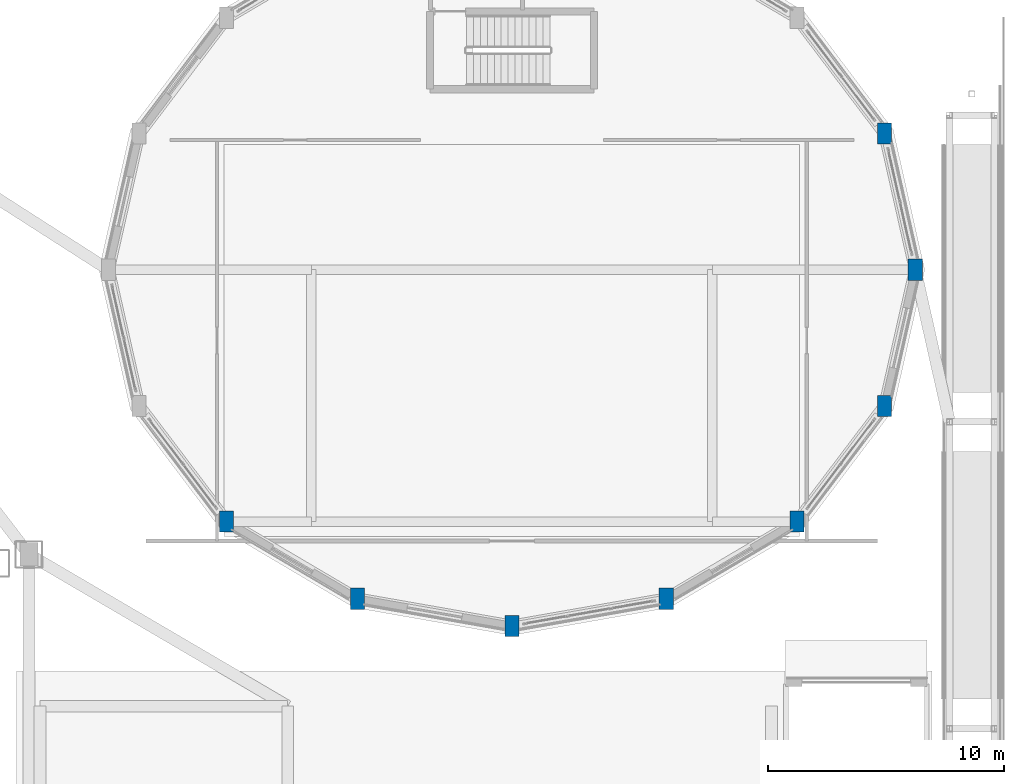
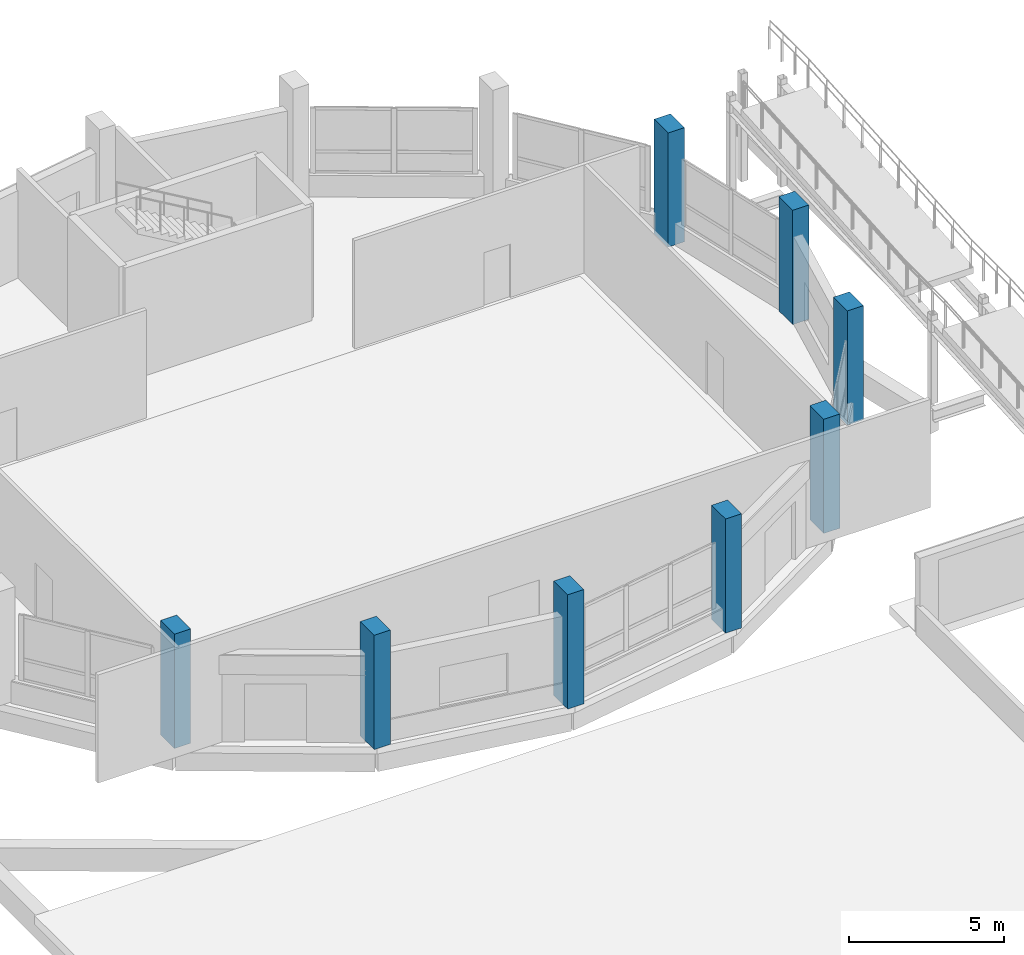
# One storey, part 14 of 129: 8 columns.
"""IFC4 building model written with IfcOpenShell, lengths in metres."""

from ifc_helpers import new_model, si_unit, direction, frame, origin, origin_2d, place, context, subcontext, project, spatial, rectangle, extrude, material, material_profile, profile_set, type_object, element, save


model = new_model("IFC4")

# Units and contexts
model_context = context("Model", 3, precision=1e-05, world=origin(), true_north=direction((0.0, 1.0)))
body_context = subcontext(model_context, "Body", "Model", "MODEL_VIEW")
ifc_project = project(units=[si_unit("LENGTHUNIT", "METRE"), si_unit("AREAUNIT", "SQUARE_METRE"), si_unit("VOLUMEUNIT", "CUBIC_METRE"), si_unit("PLANEANGLEUNIT", "RADIAN"), si_unit("MASSUNIT", "GRAM", prefix="KILO")], contexts=[model_context])

# Site, building, storey
site_placement = place(None, origin())
site = spatial("IfcSite", under=ifc_project, at=site_placement, CompositionType="ELEMENT")
building_placement = place(site_placement, origin())
building = spatial("IfcBuilding", under=site, at=building_placement, Name="Vespera Passage Community Centre", CompositionType="ELEMENT")
storey_placement = place(building_placement, origin())
storey = spatial("IfcBuildingStorey", under=building, at=storey_placement, Name="L00", CompositionType="ELEMENT", Elevation=0.0)

# Columns
ifc_material = material(Name="Concrete f'c 45 MPa", Category="concrete")
ifc_material_profile = material_profile(ifc_material, rectangle(XDim=0.60009765625, YDim=0.89990234375, at=origin_2d()), Name="RC900X600")
ifc_profile_set = profile_set([ifc_material_profile], Name="Concrete f'c 45 MPa")
column_type = type_object("IfcColumnType", Name="COL-RC900X600E", PredefinedType="COLUMN", material=ifc_profile_set)
for number, where, z_axis, x_axis, name in (
    (1, (160.10009765625, 89.5, 0.0), (0.0, 0.0, 1.0), (1.0, 0.0, 0.0), "L00 Column V2-P01"),
    (2, (158.79833984375, 95.278564453125, 0.0), (0.0, 0.0, 1.0), (1.0, 0.0, 0.0), "L00 Column V2-P02"),
    (3, (130.908447265625, 78.82275390625, 0.0), (0.0, 0.0, 1.0), (1.0, 0.0, 0.0), "L00 Column V2-P11"),
    (4, (136.4560546875, 75.54931640625, 0.0), (0.0, 0.0, 1.0), (1.0, 0.0, 0.0), "L00 Column V2-P12"),
    (5, (143.0, 74.39990234375, 0.0), (0.0, 0.0, 1.0), (1.0, 0.0, 0.0), "L00 Column V2-P13"),
    (6, (149.5439453125, 75.54931640625, 0.0), (0.0, 0.0, 1.0), (1.0, 0.0, 0.0), "L00 Column V2-P14"),
    (7, (155.091552734375, 78.82275390625, 0.0), (0.0, 0.0, 1.0), (1.0, 0.0, 0.0), "L00 Column V2-P15"),
    (8, (158.79833984375, 83.721435546875, 0.0), (0.0, 0.0, 1.0), (1.0, 0.0, 0.0), "L00 Column V2-P16"),
):
    element("IfcColumn", number, at=place(storey_placement, frame(where, z_axis=z_axis, x_axis=x_axis)), inside=storey, type_object=column_type, Name=name, PredefinedType="COLUMN", context=body_context, shape_type="SweptSolid", body=[
        extrude(rectangle(XDim=0.60009765625, YDim=0.89990234375, at=origin_2d()), origin(), (0.0, 0.0, 1.0), 4.5),
    ])

save(model, "model.ifc")
